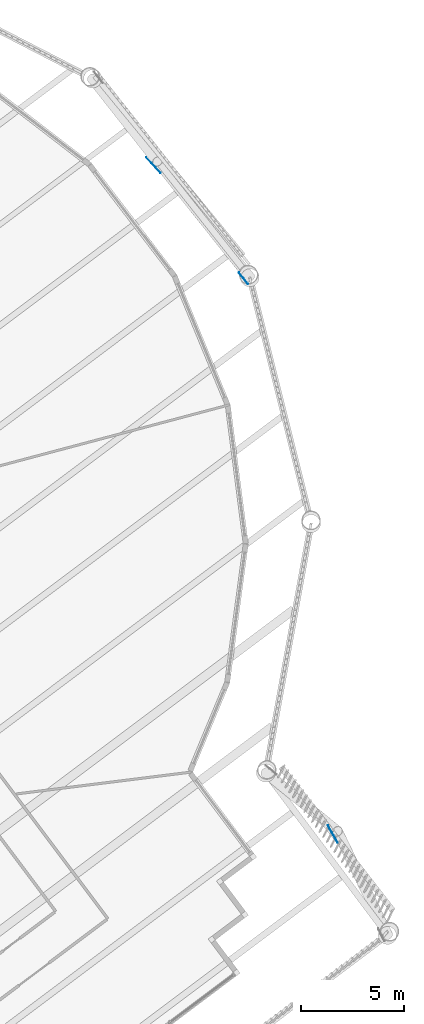
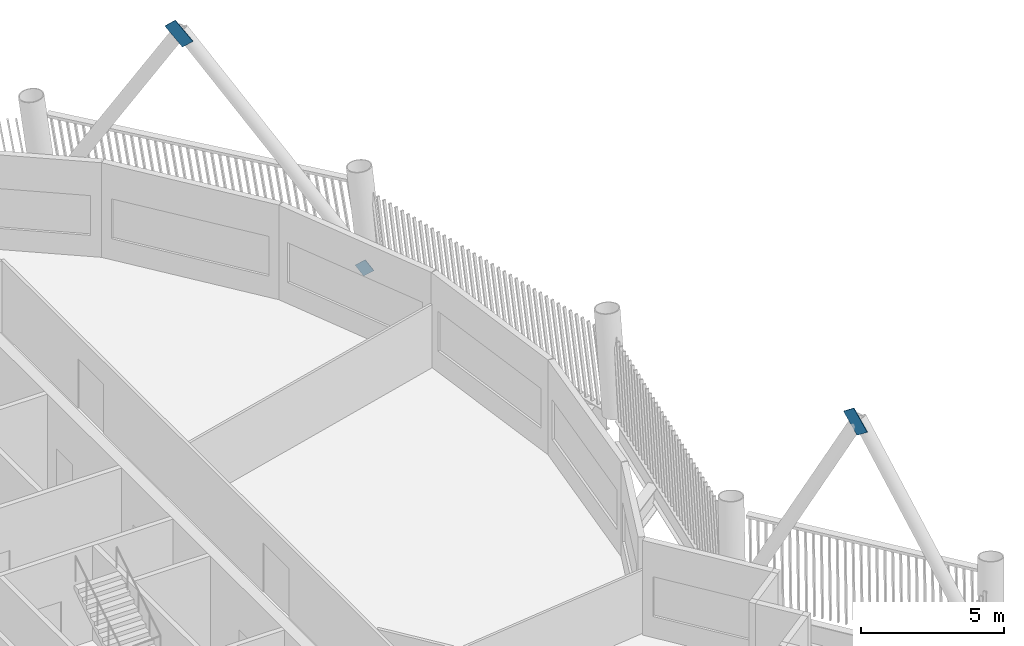
# One storey, part 23 of 35: 3 discrete accessories.
"""IFC4 building model written with IfcOpenShell, lengths in metres."""

from ifc_helpers import new_model, si_unit, direction, frame, origin, origin_2d, place, context, subcontext, project, spatial, rectangle, extrude, material, material_profile, profile_set, type_object, element, save


model = new_model("IFC4")

# Units and contexts
model_context = context("Model", 3, precision=1e-05, world=origin(), true_north=direction((0.0, 1.0)))
body_context = subcontext(model_context, "Body", "Model", "MODEL_VIEW")
ifc_project = project(units=[si_unit("LENGTHUNIT", "METRE"), si_unit("AREAUNIT", "SQUARE_METRE"), si_unit("VOLUMEUNIT", "CUBIC_METRE"), si_unit("PLANEANGLEUNIT", "RADIAN"), si_unit("MASSUNIT", "GRAM", prefix="KILO")], contexts=[model_context])

# Site, building, storey
site_placement = place(None, origin())
site = spatial("IfcSite", under=ifc_project, at=site_placement, CompositionType="ELEMENT")
building_placement = place(site_placement, origin())
building = spatial("IfcBuilding", under=site, at=building_placement, Name="Tarsis Ring Headquarters", CompositionType="ELEMENT")
storey_placement = place(building_placement, frame((0.0, 0.0, 377.60009765625)))
storey = spatial("IfcBuildingStorey", under=building, at=storey_placement, Name="L89", CompositionType="ELEMENT", Elevation=377.60009765625)

# Discrete accessories
ifc_material = material(Name="Structural steel S355", Category="steel")
ifc_material_profile = material_profile(ifc_material, rectangle(XDim=0.02490234375, YDim=0.5, at=origin_2d()), Name="PL 25x500")
ifc_profile_set = profile_set([ifc_material_profile], Name="Structural steel S355")
discrete_accessory_type = type_object("IfcDiscreteAccessoryType", Name="Gusset plate Exo brace 25", PredefinedType="BRACKET", material=ifc_profile_set)
discrete_accessory_1_placement = place(storey_placement, frame((30.21142578125, -14.312744140625, 7.982177734375), z_axis=(-0.271716482587, 0.477762045304, 0.835412222294), x_axis=(-0.869252693113, -0.494368036502, 0.0)))
element("IfcDiscreteAccessory", 1, at=discrete_accessory_1_placement, inside=storey, type_object=discrete_accessory_type, Name="Gusset plate GP5", PredefinedType="BRACKET", context=body_context, shape_type="SweptSolid", body=[
    extrude(rectangle(XDim=0.02490234375, YDim=0.5, at=origin_2d()), origin(), (0.0, 0.0, 1.0), 1.0),
])
discrete_accessory_2_placement = place(storey_placement, frame((25.856689453125, 12.656982421875, 0.0), z_axis=(-0.403826550323, 0.507346778459, 0.76126431917), x_axis=(-0.782409243005, -0.622764623643, 0.0)))
element("IfcDiscreteAccessory", 2, at=discrete_accessory_2_placement, inside=storey, type_object=discrete_accessory_type, Name="Gusset plate GP5", PredefinedType="BRACKET", context=body_context, shape_type="SweptSolid", body=[
    extrude(rectangle(XDim=0.02490234375, YDim=0.5, at=origin_2d()), origin(), (0.0, 0.0, 1.0), 0.5),
])
discrete_accessory_3_placement = place(storey_placement, frame((21.631103515625, 18.001953125, 8.019287109375), z_axis=(-0.437034486418, 0.47902886165, 0.761270127739), x_axis=(-0.738746290472, -0.673983618728, 0.0)))
element("IfcDiscreteAccessory", 3, at=discrete_accessory_3_placement, inside=storey, type_object=discrete_accessory_type, Name="Gusset plate GP5", PredefinedType="BRACKET", context=body_context, shape_type="SweptSolid", body=[
    extrude(rectangle(XDim=0.02490234375, YDim=0.5, at=origin_2d()), origin(), (0.0, 0.0, 1.0), 1.0),
])

save(model, "model.ifc")
